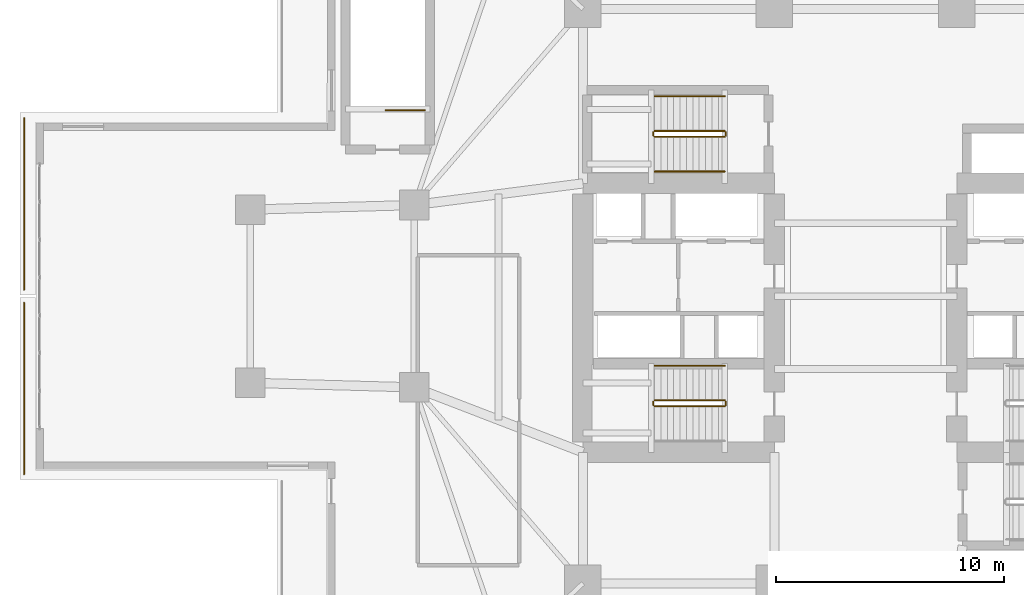
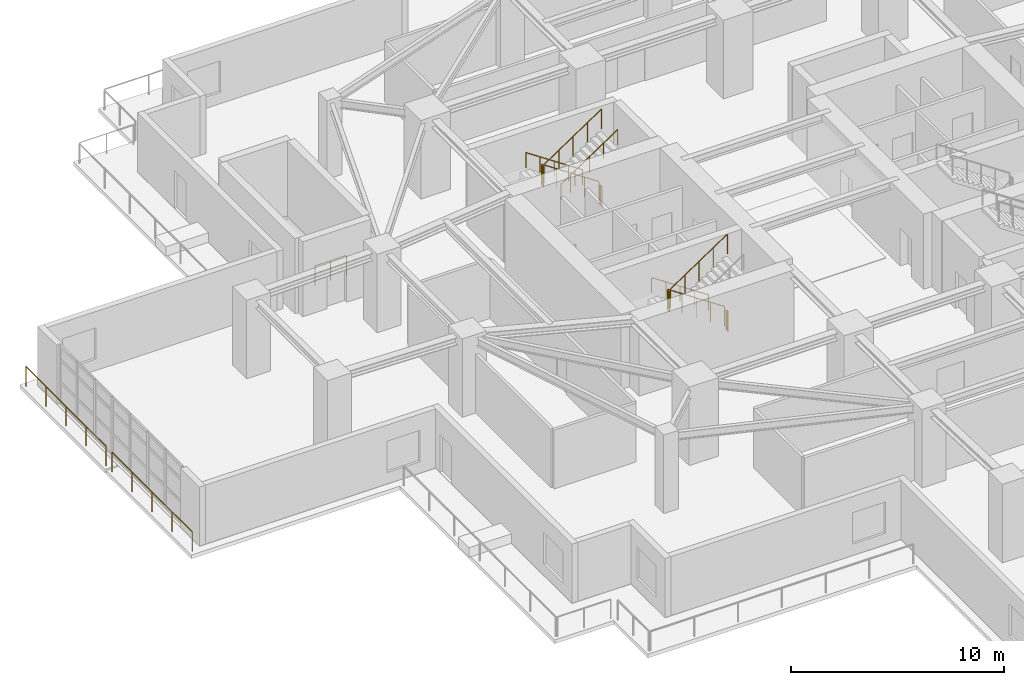
# One storey, part 21 of 24: 14 railings.
"""IFC4 building model written with IfcOpenShell, lengths in metres."""

from ifc_helpers import new_model, si_unit, direction, frame, origin, origin_2d, place, context, subcontext, project, spatial, circle, extrude, material, type_object, element, save


model = new_model("IFC4")

# Units and contexts
model_context = context("Model", 3, precision=1e-05, world=origin(), true_north=direction((0.0, 1.0)))
body_context = subcontext(model_context, "Body", "Model", "MODEL_VIEW")
ifc_project = project(units=[si_unit("LENGTHUNIT", "METRE"), si_unit("AREAUNIT", "SQUARE_METRE"), si_unit("VOLUMEUNIT", "CUBIC_METRE"), si_unit("PLANEANGLEUNIT", "RADIAN"), si_unit("MASSUNIT", "GRAM", prefix="KILO")], contexts=[model_context])

# Site, building, storey
site_placement = place(None, origin())
site = spatial("IfcSite", under=ifc_project, at=site_placement, CompositionType="ELEMENT")
building_placement = place(site_placement, origin())
building = spatial("IfcBuilding", under=site, at=building_placement, Name="Qingluan Cross Belvedere", CompositionType="ELEMENT")
storey_placement = place(building_placement, frame((0.0, 0.0, 19.199951171875)))
storey = spatial("IfcBuildingStorey", under=building, at=storey_placement, Name="L05", CompositionType="ELEMENT", Elevation=19.199951171875)

# Railings
ifc_material_1 = material(Name="Brushed stainless steel tubular handrail", Category="steel")
railing_type_1 = type_object("IfcRailingType", Name="StairPitchHandrail_900", PredefinedType="HANDRAIL", material=ifc_material_1)
for number, where, name in (
    (1, (-6.179931640625, -3.050048828125, 0.1875), "L05 ST1 stair handrail 1"),
    (2, (-6.179931640625, 8.77001953125, 0.1875), "L05 ST3 stair handrail 1"),
):
    element("IfcRailing", number, at=place(storey_placement, frame(where)), inside=storey, type_object=railing_type_1, Name=name, PredefinedType="HANDRAIL", context=body_context, shape_type="SweptSolid", body=[
        extrude(circle(Radius=0.02392578125, at=origin_2d()), frame((0.0, 0.0, 0.8759765625), z_axis=(-0.830913701846, 0.0, 0.55640131208), x_axis=(0.0, -1.0, 0.0)), (0.0, 0.0, 1.0), 3.706787109375),
        extrude(circle(Radius=0.02099609375, at=origin_2d()), origin(), (0.0, 0.0, 1.0), 0.851806640625),
        extrude(circle(Radius=0.02099609375, at=origin_2d()), frame((-0.77001953125, 0.0, 0.515625)), (0.0, 0.0, 1.0), 0.851806640625),
        extrude(circle(Radius=0.02099609375, at=origin_2d()), frame((-1.5400390625, 0.0, 1.03125)), (0.0, 0.0, 1.0), 0.851806640625),
        extrude(circle(Radius=0.02099609375, at=origin_2d()), frame((-2.31005859375, 0.0, 1.546875)), (0.0, 0.0, 1.0), 0.851806640625),
        extrude(circle(Radius=0.02099609375, at=origin_2d()), frame((-3.080078125, 0.0, 2.0625)), (0.0, 0.0, 1.0), 0.851806640625),
    ])
railing_1_placement = place(storey_placement, frame((-9.260009765625, 5.469970703125, 2.4375)))
element("IfcRailing", 3, at=railing_1_placement, inside=storey, type_object=railing_type_1, Name="L05 ST3 stair handrail 2", PredefinedType="HANDRAIL", context=body_context, shape_type="SweptSolid", body=[
    extrude(circle(Radius=0.02392578125, at=origin_2d()), frame((0.0, 0.0, 0.8759765625), z_axis=(0.830913701846, 0.0, 0.55640131208), x_axis=(0.0, 1.0, 0.0)), (0.0, 0.0, 1.0), 3.706787109375),
    extrude(circle(Radius=0.02099609375, at=origin_2d()), origin(), (0.0, 0.0, 1.0), 0.851806640625),
    extrude(circle(Radius=0.02099609375, at=origin_2d()), frame((0.77001953125, 0.0, 0.515625)), (0.0, 0.0, 1.0), 0.851806640625),
    extrude(circle(Radius=0.02099609375, at=origin_2d()), frame((1.5400390625, 0.0, 1.03125)), (0.0, 0.0, 1.0), 0.851806640625),
    extrude(circle(Radius=0.02099609375, at=origin_2d()), frame((2.31005859375, 0.0, 1.546875)), (0.0, 0.0, 1.0), 0.851806640625),
    extrude(circle(Radius=0.02099609375, at=origin_2d()), frame((3.080078125, 0.0, 2.0625)), (0.0, 0.0, 1.0), 0.851806640625),
])
ifc_material_2 = material(Name="Painted steel stair well guard", Category="steel")
railing_type_2 = type_object("IfcRailingType", Name="StairWellGuard_1150", PredefinedType="BALUSTRADE", material=ifc_material_2)
railing_2_placement = place(storey_placement, frame((-6.179931640625, -4.570068359375, 0.1875)))
element("IfcRailing", 4, at=railing_2_placement, inside=storey, type_object=railing_type_2, Name="L05 ST1 stair guard 1", PredefinedType="BALUSTRADE", context=body_context, shape_type="SweptSolid", body=[
    extrude(circle(Radius=0.02392578125, at=origin_2d()), frame((0.0, 0.0, 1.1259765625), z_axis=(-0.830913701846, 0.0, 0.55640131208), x_axis=(0.0, -1.0, 0.0)), (0.0, 0.0, 1.0), 3.706787109375),
    extrude(circle(Radius=0.02099609375, at=origin_2d()), origin(), (0.0, 0.0, 1.0), 1.101806640625),
    extrude(circle(Radius=0.02099609375, at=origin_2d()), frame((-0.77001953125, 0.0, 0.515625)), (0.0, 0.0, 1.0), 1.101806640625),
    extrude(circle(Radius=0.02099609375, at=origin_2d()), frame((-1.5400390625, 0.0, 1.03125)), (0.0, 0.0, 1.0), 1.101806640625),
    extrude(circle(Radius=0.02099609375, at=origin_2d()), frame((-2.31005859375, 0.0, 1.546875)), (0.0, 0.0, 1.0), 1.101806640625),
    extrude(circle(Radius=0.02099609375, at=origin_2d()), frame((-3.080078125, 0.0, 2.0625)), (0.0, 0.0, 1.0), 1.101806640625),
])
railing_3_placement = place(storey_placement, frame((-9.31005859375, -4.6201171875, 2.25)))
element("IfcRailing", 5, at=railing_3_placement, inside=storey, type_object=railing_type_2, Name="L05 ST1 stair guard 2", PredefinedType="BALUSTRADE", context=body_context, shape_type="SweptSolid", body=[
    extrude(circle(Radius=0.02392578125, at=origin_2d()), frame((0.0, 0.0, 1.1259765625), z_axis=(0.0, -1.0, 0.0), x_axis=(1.0, 0.0, 0.0)), (0.0, 0.0, 1.0), 0.159912109375),
    extrude(circle(Radius=0.02099609375, at=origin_2d()), origin(), (0.0, 0.0, 1.0), 1.101806640625),
    extrude(circle(Radius=0.02099609375, at=origin_2d()), frame((0.0, -0.159912109375, 0.0)), (0.0, 0.0, 1.0), 1.101806640625),
])
railing_4_placement = place(storey_placement, frame((-9.260009765625, -4.830078125, 2.4375)))
element("IfcRailing", 6, at=railing_4_placement, inside=storey, type_object=railing_type_2, Name="L05 ST1 stair guard 3", PredefinedType="BALUSTRADE", context=body_context, shape_type="SweptSolid", body=[
    extrude(circle(Radius=0.02392578125, at=origin_2d()), frame((0.0, 0.0, 1.1259765625), z_axis=(0.830913701846, 0.0, 0.55640131208), x_axis=(0.0, 1.0, 0.0)), (0.0, 0.0, 1.0), 3.706787109375),
    extrude(circle(Radius=0.02099609375, at=origin_2d()), origin(), (0.0, 0.0, 1.0), 1.101806640625),
    extrude(circle(Radius=0.02099609375, at=origin_2d()), frame((0.77001953125, 0.0, 0.515625)), (0.0, 0.0, 1.0), 1.101806640625),
    extrude(circle(Radius=0.02099609375, at=origin_2d()), frame((1.5400390625, 0.0, 1.03125)), (0.0, 0.0, 1.0), 1.101806640625),
    extrude(circle(Radius=0.02099609375, at=origin_2d()), frame((2.31005859375, 0.0, 1.546875)), (0.0, 0.0, 1.0), 1.101806640625),
    extrude(circle(Radius=0.02099609375, at=origin_2d()), frame((3.080078125, 0.0, 2.0625)), (0.0, 0.0, 1.0), 1.101806640625),
])
railing_5_placement = place(storey_placement, frame((-6.1298828125, -4.6201171875, 0.0)))
element("IfcRailing", 7, at=railing_5_placement, inside=storey, type_object=railing_type_2, Name="L05 ST1 stair guard 4", PredefinedType="BALUSTRADE", context=body_context, shape_type="SweptSolid", body=[
    extrude(circle(Radius=0.02392578125, at=origin_2d()), frame((0.0, 0.0, 1.1259765625), z_axis=(0.0, -1.0, 0.0), x_axis=(1.0, 0.0, 0.0)), (0.0, 0.0, 1.0), 0.159912109375),
    extrude(circle(Radius=0.02099609375, at=origin_2d()), origin(), (0.0, 0.0, 1.0), 1.101806640625),
    extrude(circle(Radius=0.02099609375, at=origin_2d()), frame((0.0, -0.159912109375, 0.0)), (0.0, 0.0, 1.0), 1.101806640625),
])
railing_6_placement = place(storey_placement, frame((-6.179931640625, 7.25, 0.1875)))
element("IfcRailing", 8, at=railing_6_placement, inside=storey, type_object=railing_type_2, Name="L05 ST3 stair guard 1", PredefinedType="BALUSTRADE", context=body_context, shape_type="SweptSolid", body=[
    extrude(circle(Radius=0.02392578125, at=origin_2d()), frame((0.0, 0.0, 1.1259765625), z_axis=(-0.830913701846, 0.0, 0.55640131208), x_axis=(0.0, -1.0, 0.0)), (0.0, 0.0, 1.0), 3.706787109375),
    extrude(circle(Radius=0.02099609375, at=origin_2d()), origin(), (0.0, 0.0, 1.0), 1.101806640625),
    extrude(circle(Radius=0.02099609375, at=origin_2d()), frame((-0.77001953125, 0.0, 0.515625)), (0.0, 0.0, 1.0), 1.101806640625),
    extrude(circle(Radius=0.02099609375, at=origin_2d()), frame((-1.5400390625, 0.0, 1.03125)), (0.0, 0.0, 1.0), 1.101806640625),
    extrude(circle(Radius=0.02099609375, at=origin_2d()), frame((-2.31005859375, 0.0, 1.546875)), (0.0, 0.0, 1.0), 1.101806640625),
    extrude(circle(Radius=0.02099609375, at=origin_2d()), frame((-3.080078125, 0.0, 2.0625)), (0.0, 0.0, 1.0), 1.101806640625),
])
railing_7_placement = place(storey_placement, frame((-9.31005859375, 7.199951171875, 2.25)))
element("IfcRailing", 9, at=railing_7_placement, inside=storey, type_object=railing_type_2, Name="L05 ST3 stair guard 2", PredefinedType="BALUSTRADE", context=body_context, shape_type="SweptSolid", body=[
    extrude(circle(Radius=0.02392578125, at=origin_2d()), frame((0.0, 0.0, 1.1259765625), z_axis=(0.0, -1.0, 0.0), x_axis=(1.0, 0.0, 0.0)), (0.0, 0.0, 1.0), 0.159912109375),
    extrude(circle(Radius=0.02099609375, at=origin_2d()), origin(), (0.0, 0.0, 1.0), 1.101806640625),
    extrude(circle(Radius=0.02099609375, at=origin_2d()), frame((0.0, -0.159912109375, 0.0)), (0.0, 0.0, 1.0), 1.101806640625),
])
railing_8_placement = place(storey_placement, frame((-9.260009765625, 6.989990234375, 2.4375)))
element("IfcRailing", 10, at=railing_8_placement, inside=storey, type_object=railing_type_2, Name="L05 ST3 stair guard 3", PredefinedType="BALUSTRADE", context=body_context, shape_type="SweptSolid", body=[
    extrude(circle(Radius=0.02392578125, at=origin_2d()), frame((0.0, 0.0, 1.1259765625), z_axis=(0.830913701846, 0.0, 0.55640131208), x_axis=(0.0, 1.0, 0.0)), (0.0, 0.0, 1.0), 3.706787109375),
    extrude(circle(Radius=0.02099609375, at=origin_2d()), origin(), (0.0, 0.0, 1.0), 1.101806640625),
    extrude(circle(Radius=0.02099609375, at=origin_2d()), frame((0.77001953125, 0.0, 0.515625)), (0.0, 0.0, 1.0), 1.101806640625),
    extrude(circle(Radius=0.02099609375, at=origin_2d()), frame((1.5400390625, 0.0, 1.03125)), (0.0, 0.0, 1.0), 1.101806640625),
    extrude(circle(Radius=0.02099609375, at=origin_2d()), frame((2.31005859375, 0.0, 1.546875)), (0.0, 0.0, 1.0), 1.101806640625),
    extrude(circle(Radius=0.02099609375, at=origin_2d()), frame((3.080078125, 0.0, 2.0625)), (0.0, 0.0, 1.0), 1.101806640625),
])
railing_9_placement = place(storey_placement, frame((-6.1298828125, 7.199951171875, 0.0)))
element("IfcRailing", 11, at=railing_9_placement, inside=storey, type_object=railing_type_2, Name="L05 ST3 stair guard 4", PredefinedType="BALUSTRADE", context=body_context, shape_type="SweptSolid", body=[
    extrude(circle(Radius=0.02392578125, at=origin_2d()), frame((0.0, 0.0, 1.1259765625), z_axis=(0.0, -1.0, 0.0), x_axis=(1.0, 0.0, 0.0)), (0.0, 0.0, 1.0), 0.159912109375),
    extrude(circle(Radius=0.02099609375, at=origin_2d()), origin(), (0.0, 0.0, 1.0), 1.101806640625),
    extrude(circle(Radius=0.02099609375, at=origin_2d()), frame((0.0, -0.159912109375, 0.0)), (0.0, 0.0, 1.0), 1.101806640625),
])
railing_10_placement = place(storey_placement, frame((-19.340087890625, 8.159912109375, 0.0)))
element("IfcRailing", 12, at=railing_10_placement, inside=storey, type_object=railing_type_2, Name="L05 ST5 top well guard 1", PredefinedType="BALUSTRADE", context=body_context, shape_type="SweptSolid", body=[
    extrude(circle(Radius=0.02392578125, at=origin_2d()), frame((0.0, 0.0, 1.1259765625), z_axis=(-1.0, 0.0, 0.0), x_axis=(0.0, -1.0, 0.0)), (0.0, 0.0, 1.0), 1.7099609375),
    extrude(circle(Radius=0.02099609375, at=origin_2d()), origin(), (0.0, 0.0, 1.0), 1.101806640625),
    extrude(circle(Radius=0.02099609375, at=origin_2d()), frame((-0.85498046875, 0.0, 0.0)), (0.0, 0.0, 1.0), 1.101806640625),
    extrude(circle(Radius=0.02099609375, at=origin_2d()), frame((-1.7099609375, 0.0, 0.0)), (0.0, 0.0, 1.0), 1.101806640625),
])
ifc_material_3 = material(Name="Laminated glass and stainless steel balustrade", Category="steel")
railing_type_3 = type_object("IfcRailingType", Name="TerraceGuardBalustrade_1150", PredefinedType="BALUSTRADE", material=ifc_material_3)
for number, where, name in (
    (13, (-36.919921875, 0.2900390625, 0.0), "Terrace guard L05-1"),
    (14, (-36.919921875, -7.81005859375, 0.0), "Terrace guard L05-6"),
):
    element("IfcRailing", number, at=place(storey_placement, frame(where)), inside=storey, type_object=railing_type_3, Name=name, PredefinedType="BALUSTRADE", context=body_context, shape_type="SweptSolid", body=[
        extrude(circle(Radius=0.02392578125, at=origin_2d()), frame((0.0, 0.0, 1.1259765625), z_axis=(0.0, 1.0, 0.0), x_axis=(-1.0, 0.0, 0.0)), (0.0, 0.0, 1.0), 7.52001953125),
        extrude(circle(Radius=0.02099609375, at=origin_2d()), origin(), (0.0, 0.0, 1.0), 1.101806640625),
        extrude(circle(Radius=0.02099609375, at=origin_2d()), frame((0.0, 1.8798828125, 0.0)), (0.0, 0.0, 1.0), 1.101806640625),
        extrude(circle(Radius=0.02099609375, at=origin_2d()), frame((0.0, 3.760009765625, 0.0)), (0.0, 0.0, 1.0), 1.101806640625),
        extrude(circle(Radius=0.02099609375, at=origin_2d()), frame((0.0, 5.64013671875, 0.0)), (0.0, 0.0, 1.0), 1.101806640625),
        extrude(circle(Radius=0.02099609375, at=origin_2d()), frame((0.0, 7.52001953125, 0.0)), (0.0, 0.0, 1.0), 1.101806640625),
    ])

save(model, "model.ifc")
